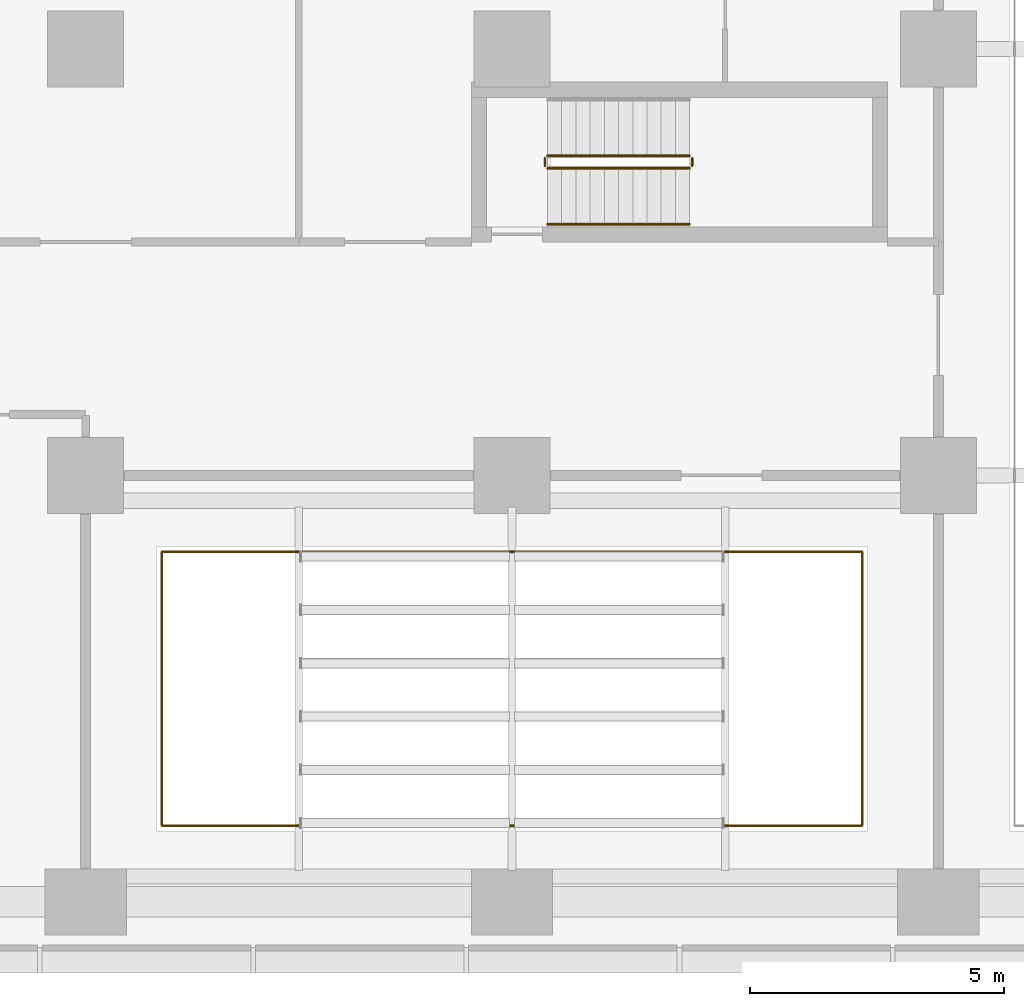
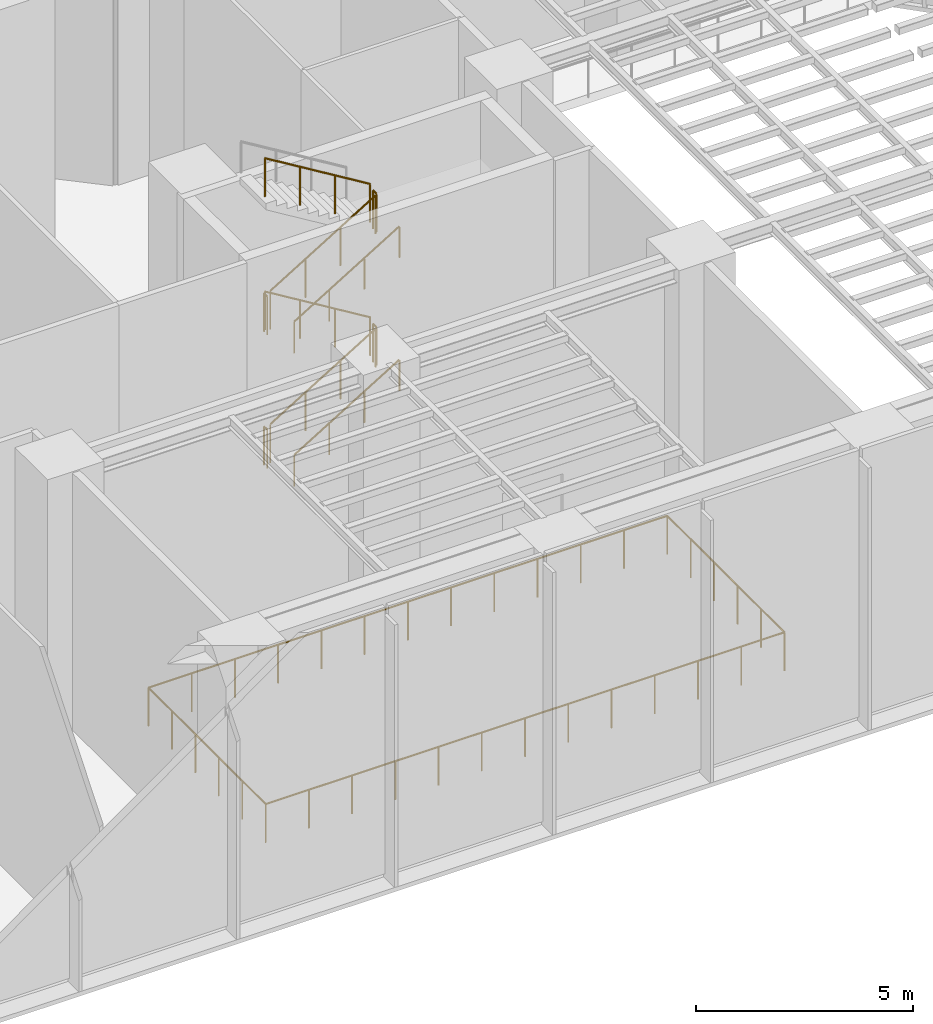
# One storey, part 20 of 22: 11 railings.
"""IFC4 building model written with IfcOpenShell, lengths in metres."""

from ifc_helpers import new_model, si_unit, direction, frame, origin, origin_2d, place, context, subcontext, project, spatial, circle, extrude, material, type_object, element, save


model = new_model("IFC4")

# Units and contexts
model_context = context("Model", 3, precision=1e-05, world=origin(), true_north=direction((0.0, 1.0)))
body_context = subcontext(model_context, "Body", "Model", "MODEL_VIEW")
ifc_project = project(units=[si_unit("LENGTHUNIT", "METRE"), si_unit("AREAUNIT", "SQUARE_METRE"), si_unit("VOLUMEUNIT", "CUBIC_METRE"), si_unit("PLANEANGLEUNIT", "RADIAN"), si_unit("MASSUNIT", "GRAM", prefix="KILO")], contexts=[model_context])

# Site, building, storey
site_placement = place(None, origin())
site = spatial("IfcSite", under=ifc_project, at=site_placement, CompositionType="ELEMENT")
building_placement = place(site_placement, origin())
building = spatial("IfcBuilding", under=site, at=building_placement, Name="Brevane Broadcast Tower", CompositionType="ELEMENT")
storey_placement = place(building_placement, frame((0.0, 0.0, 20.0)))
storey = spatial("IfcBuildingStorey", under=building, at=storey_placement, Name="L03", CompositionType="ELEMENT", Elevation=20.0)

# Railings
ifc_material_1 = material(Name="Steel S355", Category="steel")
railing_type_1 = type_object("IfcRailingType", Name="Exit stair guard", PredefinedType="GUARDRAIL", material=ifc_material_1)
railing_1_placement = place(storey_placement, frame((42.699951171875, 14.449951171875, 0.17041015625)))
element("IfcRailing", 1, at=railing_1_placement, inside=storey, type_object=railing_type_1, Name="L03 ST-4 stair guard 1", PredefinedType="GUARDRAIL", context=body_context, shape_type="SweptSolid", body=[
    extrude(circle(Radius=0.02392578125, at=origin_2d()), frame((0.0, 0.0, 1.076171875), z_axis=(0.854169791009, 0.0, 0.51999420009), x_axis=(0.0, 1.0, 0.0)), (0.0, 0.0, 1.0), 3.278076171875),
    extrude(circle(Radius=0.02099609375, at=origin_2d()), origin(), (0.0, 0.0, 1.0), 1.052001953125),
    extrude(circle(Radius=0.02099609375, at=origin_2d()), frame((0.933349609375, 0.0, 0.568115234375)), (0.0, 0.0, 1.0), 1.052001953125),
    extrude(circle(Radius=0.02099609375, at=origin_2d()), frame((1.86669921875, 0.0, 1.136474609375)), (0.0, 0.0, 1.0), 1.052001953125),
    extrude(circle(Radius=0.02099609375, at=origin_2d()), frame((2.800048828125, 0.0, 1.70458984375)), (0.0, 0.0, 1.0), 1.052001953125),
])
railing_2_placement = place(storey_placement, frame((45.550048828125, 14.5, 1.875)))
element("IfcRailing", 2, at=railing_2_placement, inside=storey, type_object=railing_type_1, Name="L03 ST-4 stair guard 2", PredefinedType="GUARDRAIL", context=body_context, shape_type="SweptSolid", body=[
    extrude(circle(Radius=0.02392578125, at=origin_2d()), frame((0.0, 0.0, 1.076171875), z_axis=(0.0, 1.0, 0.0), x_axis=(-1.0, 0.0, 0.0)), (0.0, 0.0, 1.0), 0.14990234375),
    extrude(circle(Radius=0.02099609375, at=origin_2d()), origin(), (0.0, 0.0, 1.0), 1.052001953125),
    extrude(circle(Radius=0.02099609375, at=origin_2d()), frame((0.0, 0.14990234375, 0.0)), (0.0, 0.0, 1.0), 1.052001953125),
])
railing_3_placement = place(storey_placement, frame((45.5, 14.699951171875, 2.04541015625)))
element("IfcRailing", 3, at=railing_3_placement, inside=storey, type_object=railing_type_1, Name="L03 ST-4 stair guard 3", PredefinedType="GUARDRAIL", context=body_context, shape_type="SweptSolid", body=[
    extrude(circle(Radius=0.02392578125, at=origin_2d()), frame((0.0, 0.0, 1.076171875), z_axis=(-0.854169791009, 0.0, 0.51999420009), x_axis=(0.0, -1.0, 0.0)), (0.0, 0.0, 1.0), 3.278076171875),
    extrude(circle(Radius=0.02099609375, at=origin_2d()), origin(), (0.0, 0.0, 1.0), 1.052001953125),
    extrude(circle(Radius=0.02099609375, at=origin_2d()), frame((-0.933349609375, 0.0, 0.568115234375)), (0.0, 0.0, 1.0), 1.052001953125),
    extrude(circle(Radius=0.02099609375, at=origin_2d()), frame((-1.86669921875, 0.0, 1.136474609375)), (0.0, 0.0, 1.0), 1.052001953125),
    extrude(circle(Radius=0.02099609375, at=origin_2d()), frame((-2.800048828125, 0.0, 1.70458984375)), (0.0, 0.0, 1.0), 1.052001953125),
])
railing_4_placement = place(storey_placement, frame((42.64990234375, 14.5, 3.75)))
element("IfcRailing", 4, at=railing_4_placement, inside=storey, type_object=railing_type_1, Name="L03 ST-4 stair guard 4", PredefinedType="GUARDRAIL", context=body_context, shape_type="SweptSolid", body=[
    extrude(circle(Radius=0.02392578125, at=origin_2d()), frame((0.0, 0.0, 1.076171875), z_axis=(0.0, 1.0, 0.0), x_axis=(-1.0, 0.0, 0.0)), (0.0, 0.0, 1.0), 0.14990234375),
    extrude(circle(Radius=0.02099609375, at=origin_2d()), origin(), (0.0, 0.0, 1.0), 1.052001953125),
    extrude(circle(Radius=0.02099609375, at=origin_2d()), frame((0.0, 0.14990234375, 0.0)), (0.0, 0.0, 1.0), 1.052001953125),
])
railing_5_placement = place(storey_placement, frame((42.699951171875, 14.449951171875, 3.92041015625)))
element("IfcRailing", 5, at=railing_5_placement, inside=storey, type_object=railing_type_1, Name="L03 ST-4 stair guard 5", PredefinedType="GUARDRAIL", context=body_context, shape_type="SweptSolid", body=[
    extrude(circle(Radius=0.02392578125, at=origin_2d()), frame((0.0, 0.0, 1.076171875), z_axis=(0.854169791009, 0.0, 0.51999420009), x_axis=(0.0, 1.0, 0.0)), (0.0, 0.0, 1.0), 3.278076171875),
    extrude(circle(Radius=0.02099609375, at=origin_2d()), origin(), (0.0, 0.0, 1.0), 1.052001953125),
    extrude(circle(Radius=0.02099609375, at=origin_2d()), frame((0.933349609375, 0.0, 0.568115234375)), (0.0, 0.0, 1.0), 1.052001953125),
    extrude(circle(Radius=0.02099609375, at=origin_2d()), frame((1.86669921875, 0.0, 1.136474609375)), (0.0, 0.0, 1.0), 1.052001953125),
    extrude(circle(Radius=0.02099609375, at=origin_2d()), frame((2.800048828125, 0.0, 1.70458984375)), (0.0, 0.0, 1.0), 1.052001953125),
])
railing_6_placement = place(storey_placement, frame((45.550048828125, 14.5, 5.625)))
element("IfcRailing", 6, at=railing_6_placement, inside=storey, type_object=railing_type_1, Name="L03 ST-4 stair guard 6", PredefinedType="GUARDRAIL", context=body_context, shape_type="SweptSolid", body=[
    extrude(circle(Radius=0.02392578125, at=origin_2d()), frame((0.0, 0.0, 1.076171875), z_axis=(0.0, 1.0, 0.0), x_axis=(-1.0, 0.0, 0.0)), (0.0, 0.0, 1.0), 0.14990234375),
    extrude(circle(Radius=0.02099609375, at=origin_2d()), origin(), (0.0, 0.0, 1.0), 1.052001953125),
    extrude(circle(Radius=0.02099609375, at=origin_2d()), frame((0.0, 0.14990234375, 0.0)), (0.0, 0.0, 1.0), 1.052001953125),
])
railing_7_placement = place(storey_placement, frame((45.5, 14.699951171875, 5.79541015625)))
element("IfcRailing", 7, at=railing_7_placement, inside=storey, type_object=railing_type_1, Name="L03 ST-4 stair guard 7", PredefinedType="GUARDRAIL", context=body_context, shape_type="SweptSolid", body=[
    extrude(circle(Radius=0.02392578125, at=origin_2d()), frame((0.0, 0.0, 1.076171875), z_axis=(-0.854169791009, 0.0, 0.51999420009), x_axis=(0.0, -1.0, 0.0)), (0.0, 0.0, 1.0), 3.278076171875),
    extrude(circle(Radius=0.02099609375, at=origin_2d()), origin(), (0.0, 0.0, 1.0), 1.052001953125),
    extrude(circle(Radius=0.02099609375, at=origin_2d()), frame((-0.933349609375, 0.0, 0.568115234375)), (0.0, 0.0, 1.0), 1.052001953125),
    extrude(circle(Radius=0.02099609375, at=origin_2d()), frame((-1.86669921875, 0.0, 1.136474609375)), (0.0, 0.0, 1.0), 1.052001953125),
    extrude(circle(Radius=0.02099609375, at=origin_2d()), frame((-2.800048828125, 0.0, 1.70458984375)), (0.0, 0.0, 1.0), 1.052001953125),
])
railing_8_placement = place(storey_placement, frame((42.64990234375, 14.5, 0.0)))
element("IfcRailing", 8, at=railing_8_placement, inside=storey, type_object=railing_type_1, Name="L03 ST-4 stair guard 8", PredefinedType="GUARDRAIL", context=body_context, shape_type="SweptSolid", body=[
    extrude(circle(Radius=0.02392578125, at=origin_2d()), frame((0.0, 0.0, 1.076171875), z_axis=(0.0, 1.0, 0.0), x_axis=(-1.0, 0.0, 0.0)), (0.0, 0.0, 1.0), 0.14990234375),
    extrude(circle(Radius=0.02099609375, at=origin_2d()), origin(), (0.0, 0.0, 1.0), 1.052001953125),
    extrude(circle(Radius=0.02099609375, at=origin_2d()), frame((0.0, 0.14990234375, 0.0)), (0.0, 0.0, 1.0), 1.052001953125),
])
railing_type_2 = type_object("IfcRailingType", Name="Exit stair handrail", PredefinedType="HANDRAIL", material=ifc_material_1)
for number, where, name in (
    (9, (42.699951171875, 13.35009765625, 0.17041015625), "L03 ST-4 stair handrail 1"),
    (10, (42.699951171875, 13.35009765625, 3.92041015625), "L03 ST-4 stair handrail 3"),
):
    element("IfcRailing", number, at=place(storey_placement, frame(where)), inside=storey, type_object=railing_type_2, Name=name, PredefinedType="HANDRAIL", context=body_context, shape_type="SweptSolid", body=[
        extrude(circle(Radius=0.02392578125, at=origin_2d()), frame((0.0, 0.0, 0.8759765625), z_axis=(0.854169791009, 0.0, 0.51999420009), x_axis=(0.0, 1.0, 0.0)), (0.0, 0.0, 1.0), 3.278076171875),
        extrude(circle(Radius=0.02099609375, at=origin_2d()), origin(), (0.0, 0.0, 1.0), 0.851806640625),
        extrude(circle(Radius=0.02099609375, at=origin_2d()), frame((0.933349609375, 0.0, 0.568115234375)), (0.0, 0.0, 1.0), 0.851806640625),
        extrude(circle(Radius=0.02099609375, at=origin_2d()), frame((1.86669921875, 0.0, 1.136474609375)), (0.0, 0.0, 1.0), 0.851806640625),
        extrude(circle(Radius=0.02099609375, at=origin_2d()), frame((2.800048828125, 0.0, 1.70458984375)), (0.0, 0.0, 1.0), 0.851806640625),
    ])
ifc_material_2 = material(Name="Stainless steel 1.4404", Category="steel")
railing_type_3 = type_object("IfcRailingType", Name="Studio void guard 1100", PredefinedType="GUARDRAIL", material=ifc_material_2)
railing_9_placement = place(storey_placement, frame((35.10009765625, 1.5, 0.0)))
element("IfcRailing", 11, at=railing_9_placement, inside=storey, type_object=railing_type_3, Name="Studio void guard S2", PredefinedType="GUARDRAIL", context=body_context, shape_type="SweptSolid", body=[
    extrude(circle(Radius=0.02392578125, at=origin_2d()), frame((0.0, 0.0, 1.076171875), z_axis=(0.0, 1.0, 0.0), x_axis=(-1.0, 0.0, 0.0)), (0.0, 0.0, 1.0), 5.39990234375),
    extrude(circle(Radius=0.02392578125, at=origin_2d()), frame((0.0, 5.39990234375, 1.076171875), z_axis=(1.0, 0.0, 0.0), x_axis=(0.0, 1.0, 0.0)), (0.0, 0.0, 1.0), 13.7998046875),
    extrude(circle(Radius=0.02392578125, at=origin_2d()), frame((13.7998046875, 5.39990234375, 1.076171875), z_axis=(0.0, -1.0, 0.0), x_axis=(1.0, 0.0, 0.0)), (0.0, 0.0, 1.0), 5.39990234375),
    extrude(circle(Radius=0.02392578125, at=origin_2d()), frame((13.7998046875, 0.0, 1.076171875), z_axis=(-1.0, 0.0, 0.0), x_axis=(0.0, -1.0, 0.0)), (0.0, 0.0, 1.0), 13.7998046875),
    extrude(circle(Radius=0.02099609375, at=origin_2d()), origin(), (0.0, 0.0, 1.0), 1.052001953125),
    extrude(circle(Radius=0.02099609375, at=origin_2d()), frame((0.0, 1.080078125, 0.0)), (0.0, 0.0, 1.0), 1.052001953125),
    extrude(circle(Radius=0.02099609375, at=origin_2d()), frame((0.0, 2.159912109375, 0.0)), (0.0, 0.0, 1.0), 1.052001953125),
    extrude(circle(Radius=0.02099609375, at=origin_2d()), frame((0.0, 3.239990234375, 0.0)), (0.0, 0.0, 1.0), 1.052001953125),
    extrude(circle(Radius=0.02099609375, at=origin_2d()), frame((0.0, 4.31982421875, 0.0)), (0.0, 0.0, 1.0), 1.052001953125),
    extrude(circle(Radius=0.02099609375, at=origin_2d()), frame((0.0, 5.39990234375, 0.0)), (0.0, 0.0, 1.0), 1.052001953125),
    extrude(circle(Radius=0.02099609375, at=origin_2d()), frame((1.14990234375, 5.39990234375, 0.0)), (0.0, 0.0, 1.0), 1.052001953125),
    extrude(circle(Radius=0.02099609375, at=origin_2d()), frame((2.300048828125, 5.39990234375, 0.0)), (0.0, 0.0, 1.0), 1.052001953125),
    extrude(circle(Radius=0.02099609375, at=origin_2d()), frame((3.449951171875, 5.39990234375, 0.0)), (0.0, 0.0, 1.0), 1.052001953125),
    extrude(circle(Radius=0.02099609375, at=origin_2d()), frame((4.599853515625, 5.39990234375, 0.0)), (0.0, 0.0, 1.0), 1.052001953125),
    extrude(circle(Radius=0.02099609375, at=origin_2d()), frame((5.75, 5.39990234375, 0.0)), (0.0, 0.0, 1.0), 1.052001953125),
    extrude(circle(Radius=0.02099609375, at=origin_2d()), frame((6.89990234375, 5.39990234375, 0.0)), (0.0, 0.0, 1.0), 1.052001953125),
    extrude(circle(Radius=0.02099609375, at=origin_2d()), frame((8.0498046875, 5.39990234375, 0.0)), (0.0, 0.0, 1.0), 1.052001953125),
    extrude(circle(Radius=0.02099609375, at=origin_2d()), frame((9.199951171875, 5.39990234375, 0.0)), (0.0, 0.0, 1.0), 1.052001953125),
    extrude(circle(Radius=0.02099609375, at=origin_2d()), frame((10.349853515625, 5.39990234375, 0.0)), (0.0, 0.0, 1.0), 1.052001953125),
    extrude(circle(Radius=0.02099609375, at=origin_2d()), frame((11.499755859375, 5.39990234375, 0.0)), (0.0, 0.0, 1.0), 1.052001953125),
    extrude(circle(Radius=0.02099609375, at=origin_2d()), frame((12.64990234375, 5.39990234375, 0.0)), (0.0, 0.0, 1.0), 1.052001953125),
    extrude(circle(Radius=0.02099609375, at=origin_2d()), frame((13.7998046875, 5.39990234375, 0.0)), (0.0, 0.0, 1.0), 1.052001953125),
    extrude(circle(Radius=0.02099609375, at=origin_2d()), frame((13.7998046875, 4.31982421875, 0.0)), (0.0, 0.0, 1.0), 1.052001953125),
    extrude(circle(Radius=0.02099609375, at=origin_2d()), frame((13.7998046875, 3.239990234375, 0.0)), (0.0, 0.0, 1.0), 1.052001953125),
    extrude(circle(Radius=0.02099609375, at=origin_2d()), frame((13.7998046875, 2.159912109375, 0.0)), (0.0, 0.0, 1.0), 1.052001953125),
    extrude(circle(Radius=0.02099609375, at=origin_2d()), frame((13.7998046875, 1.080078125, 0.0)), (0.0, 0.0, 1.0), 1.052001953125),
    extrude(circle(Radius=0.02099609375, at=origin_2d()), frame((13.7998046875, 0.0, 0.0)), (0.0, 0.0, 1.0), 1.052001953125),
    extrude(circle(Radius=0.02099609375, at=origin_2d()), frame((12.64990234375, 0.0, 0.0)), (0.0, 0.0, 1.0), 1.052001953125),
    extrude(circle(Radius=0.02099609375, at=origin_2d()), frame((11.499755859375, 0.0, 0.0)), (0.0, 0.0, 1.0), 1.052001953125),
    extrude(circle(Radius=0.02099609375, at=origin_2d()), frame((10.349853515625, 0.0, 0.0)), (0.0, 0.0, 1.0), 1.052001953125),
    extrude(circle(Radius=0.02099609375, at=origin_2d()), frame((9.199951171875, 0.0, 0.0)), (0.0, 0.0, 1.0), 1.052001953125),
    extrude(circle(Radius=0.02099609375, at=origin_2d()), frame((8.0498046875, 0.0, 0.0)), (0.0, 0.0, 1.0), 1.052001953125),
    extrude(circle(Radius=0.02099609375, at=origin_2d()), frame((6.89990234375, 0.0, 0.0)), (0.0, 0.0, 1.0), 1.052001953125),
    extrude(circle(Radius=0.02099609375, at=origin_2d()), frame((5.75, 0.0, 0.0)), (0.0, 0.0, 1.0), 1.052001953125),
    extrude(circle(Radius=0.02099609375, at=origin_2d()), frame((4.599853515625, 0.0, 0.0)), (0.0, 0.0, 1.0), 1.052001953125),
    extrude(circle(Radius=0.02099609375, at=origin_2d()), frame((3.449951171875, 0.0, 0.0)), (0.0, 0.0, 1.0), 1.052001953125),
    extrude(circle(Radius=0.02099609375, at=origin_2d()), frame((2.300048828125, 0.0, 0.0)), (0.0, 0.0, 1.0), 1.052001953125),
    extrude(circle(Radius=0.02099609375, at=origin_2d()), frame((1.14990234375, 0.0, 0.0)), (0.0, 0.0, 1.0), 1.052001953125),
])

save(model, "model.ifc")
